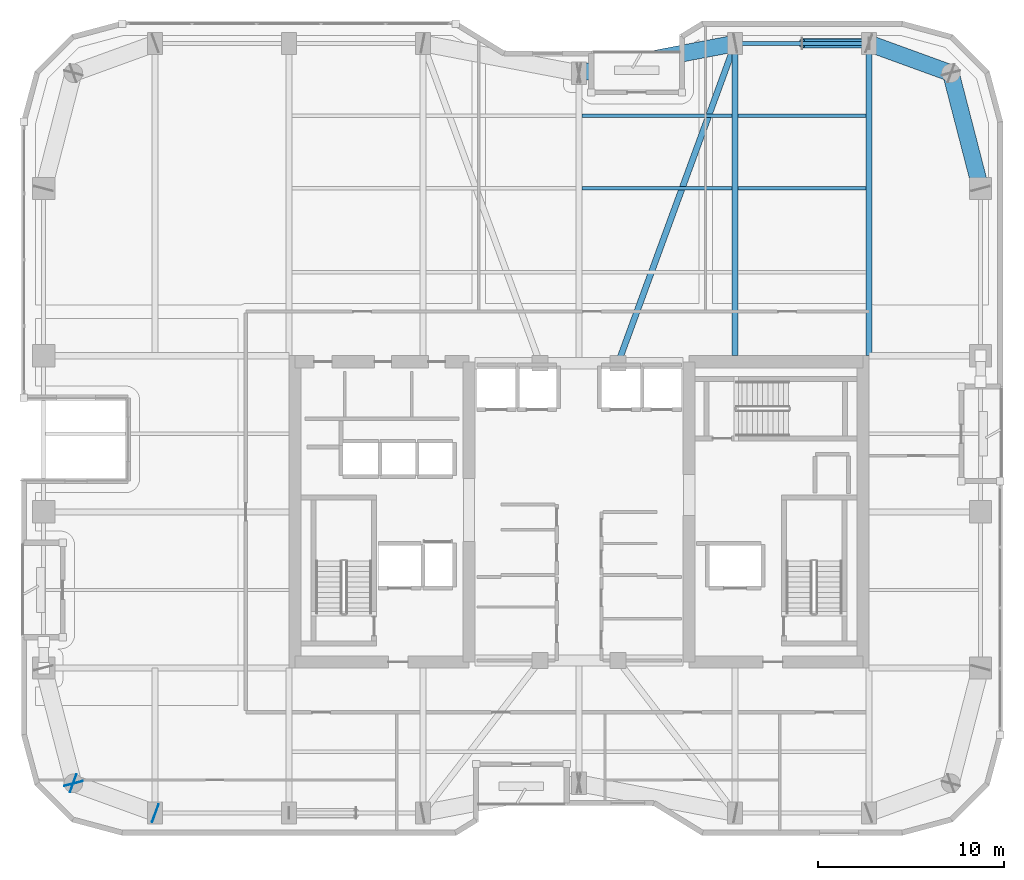
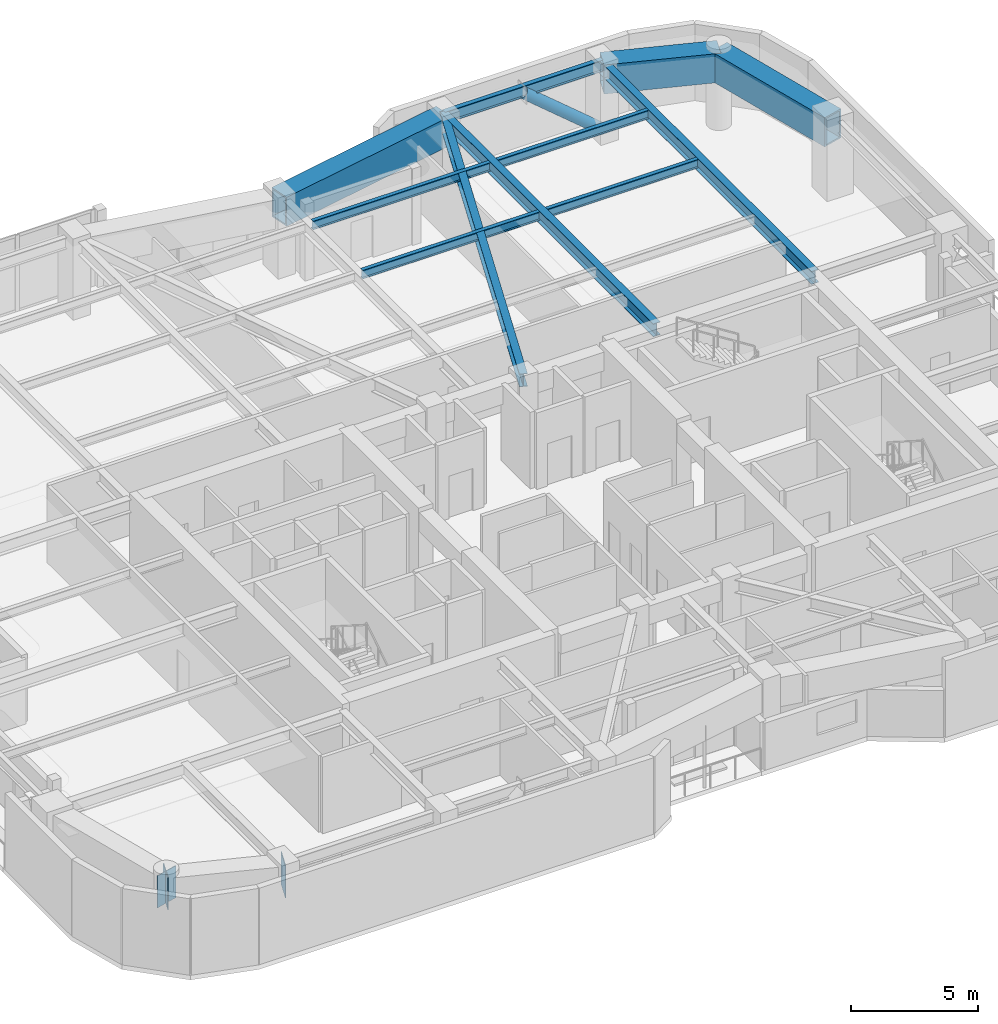
# One storey, part 16 of 26: 11 beams, 3 plates, 1 member.
"""IFC4 building model written with IfcOpenShell, lengths in metres."""

from ifc_helpers import new_model, si_unit, direction, frame, origin, origin_2d, place, context, subcontext, project, spatial, rectangle, hollow_rectangle, hollow_circle, i_section, extrude, material, layer, layer_set, material_profile, profile_set, type_object, element, save


model = new_model("IFC4")

# Units and contexts
model_context = context("Model", 3, precision=1e-05, world=origin(), true_north=direction((0.0, 1.0)))
body_context = subcontext(model_context, "Body", "Model", "MODEL_VIEW")
ifc_project = project(units=[si_unit("LENGTHUNIT", "METRE"), si_unit("AREAUNIT", "SQUARE_METRE"), si_unit("VOLUMEUNIT", "CUBIC_METRE"), si_unit("PLANEANGLEUNIT", "RADIAN"), si_unit("MASSUNIT", "GRAM", prefix="KILO")], contexts=[model_context])

# Site, building, storey
site_placement = place(None, origin())
site = spatial("IfcSite", under=ifc_project, at=site_placement, CompositionType="ELEMENT")
building_placement = place(site_placement, origin())
building = spatial("IfcBuilding", under=site, at=building_placement, Name="Kiyonajd Concourse Tower", CompositionType="ELEMENT")
storey_placement = place(building_placement, frame((0.0, 0.0, 186.300048828125)))
storey = spatial("IfcBuildingStorey", under=building, at=storey_placement, Name="L47", CompositionType="ELEMENT", Elevation=186.300048828125)

# Beams
ifc_material_1 = material(Name="Steel ASTM A992 Grade 50", Category="steel")
ifc_material_profile_1 = material_profile(ifc_material_1, i_section(OverallWidth=0.180908203125, OverallDepth=0.4169921875, WebThickness=0.010986328125, FlangeThickness=0.018310546875, at=origin_2d()), Name="W410X85")
ifc_profile_set_1 = profile_set([ifc_material_profile_1], Name="Steel ASTM A992 Grade 50")
beam_type_1 = type_object("IfcBeamType", Name="BM-JST-410", PredefinedType="JOIST", material=ifc_profile_set_1)
beam_1_placement = place(storey_placement, frame((48.16357421875, 53.39990234375, 3.471435546875), z_axis=(1.0, 0.0, 0.0), x_axis=(0.0, 1.0, 0.0)))
element("IfcBeam", 1, at=beam_1_placement, inside=storey, type_object=beam_type_1, Name="L47 Secondary Floor Joist", PredefinedType="JOIST", context=body_context, shape_type="SweptSolid", body=[
    extrude(i_section(OverallWidth=0.180908203125, OverallDepth=0.4169921875, WebThickness=0.010986328125, FlangeThickness=0.018310546875, at=origin_2d()), origin(), (0.0, 0.0, 1.0), 8.072998046875),
])
beam_2_placement = place(storey_placement, frame((56.5634765625, 53.39990234375, 3.471435546875), z_axis=(1.0, 0.0, 0.0), x_axis=(0.0, 1.0, 0.0)))
element("IfcBeam", 2, at=beam_2_placement, inside=storey, type_object=beam_type_1, Name="L47 Secondary Floor Joist", PredefinedType="JOIST", context=body_context, shape_type="SweptSolid", body=[
    extrude(i_section(OverallWidth=0.180908203125, OverallDepth=0.4169921875, WebThickness=0.010986328125, FlangeThickness=0.018310546875, at=origin_2d()), origin(), (0.0, 0.0, 1.0), 6.873046875),
])
beam_3_placement = place(storey_placement, frame((48.16357421875, 57.300048828125, 3.471435546875), z_axis=(1.0, 0.0, 0.0), x_axis=(0.0, 1.0, 0.0)))
element("IfcBeam", 3, at=beam_3_placement, inside=storey, type_object=beam_type_1, Name="L47 Secondary Floor Joist", PredefinedType="JOIST", context=body_context, shape_type="SweptSolid", body=[
    extrude(i_section(OverallWidth=0.180908203125, OverallDepth=0.4169921875, WebThickness=0.010986328125, FlangeThickness=0.018310546875, at=origin_2d()), origin(), (0.0, 0.0, 1.0), 8.072998046875),
])
beam_4_placement = place(storey_placement, frame((56.5634765625, 57.300048828125, 3.471435546875), z_axis=(1.0, 0.0, 0.0), x_axis=(0.0, 1.0, 0.0)))
element("IfcBeam", 4, at=beam_4_placement, inside=storey, type_object=beam_type_1, Name="L47 Secondary Floor Joist", PredefinedType="JOIST", context=body_context, shape_type="SweptSolid", body=[
    extrude(i_section(OverallWidth=0.180908203125, OverallDepth=0.4169921875, WebThickness=0.010986328125, FlangeThickness=0.018310546875, at=origin_2d()), origin(), (0.0, 0.0, 1.0), 6.873046875),
])
ifc_material_profile_2 = material_profile(ifc_material_1, i_section(OverallWidth=0.214111328125, OverallDepth=0.549072265625, WebThickness=0.0146484375, FlangeThickness=0.023681640625, at=origin_2d()), Name="W530X138")
ifc_profile_set_2 = profile_set([ifc_material_profile_2], Name="Steel ASTM A992 Grade 50")
beam_type_2 = type_object("IfcBeamType", Name="BM-SPAN-530A", PredefinedType="SPANDREL", material=ifc_profile_set_2)
beam_5_placement = place(storey_placement, frame((63.60009765625, 61.199951171875, 3.405517578125), z_axis=(-1.0, 0.0, 0.0), x_axis=(0.0, -1.0, 0.0)))
element("IfcBeam", 5, at=beam_5_placement, inside=storey, type_object=beam_type_2, Name="L47 Perimeter Bundled Tube Spandrel", PredefinedType="SPANDREL", context=body_context, shape_type="SweptSolid", body=[
    extrude(i_section(OverallWidth=0.214111328125, OverallDepth=0.549072265625, WebThickness=0.0146484375, FlangeThickness=0.023681640625, at=origin_2d()), origin(), (0.0, 0.0, 1.0), 7.2001953125),
])
ifc_material_profile_3 = material_profile(ifc_material_1, i_section(OverallWidth=0.326904296875, OverallDepth=0.6220703125, WebThickness=0.015380859375, FlangeThickness=0.0244140625, at=origin_2d()), Name="W610X195")
ifc_profile_set_3 = profile_set([ifc_material_profile_3], Name="Steel ASTM A992 Grade 50")
beam_type_3 = type_object("IfcBeamType", Name="BM-TWR-610A", PredefinedType="BEAM", material=ifc_profile_set_3)
beam_6_placement = place(storey_placement, frame((50.10009765625, 44.0, 3.368896484375), z_axis=(0.343925269715, 0.938997022813, 0.0), x_axis=(-0.938997022813, 0.343925269715, 0.0)))
element("IfcBeam", 6, at=beam_6_placement, inside=storey, type_object=beam_type_3, Name="L47 Core Tie Girder", PredefinedType="BEAM", context=body_context, shape_type="SweptSolid", body=[
    extrude(i_section(OverallWidth=0.326904296875, OverallDepth=0.6220703125, WebThickness=0.015380859375, FlangeThickness=0.0244140625, at=origin_2d()), origin(), (0.0, 0.0, 1.0), 18.3173828125),
])
for number, where, z_axis, x_axis, name in (
    (7, (56.39990234375, 44.39990234375, 3.368896484375), (0.0, 1.0, 0.0), (-1.0, 0.0, 0.0), "L47 North Lease Girder"),
    (8, (63.60009765625, 44.39990234375, 3.368896484375), (0.0, 1.0, 0.0), (-1.0, 0.0, 0.0), "L47 North Lease Girder"),
):
    element("IfcBeam", number, at=place(storey_placement, frame(where, z_axis=z_axis, x_axis=x_axis)), inside=storey, type_object=beam_type_3, Name=name, PredefinedType="BEAM", context=body_context, shape_type="SweptSolid", body=[
        extrude(i_section(OverallWidth=0.326904296875, OverallDepth=0.6220703125, WebThickness=0.015380859375, FlangeThickness=0.0244140625, at=origin_2d()), origin(), (0.0, 0.0, 1.0), 16.800048828125),
    ])
ifc_material_2 = material(Name="Steel ASTM A572 Grade 50", Category="steel")
ifc_material_profile_4 = material_profile(ifc_material_2, hollow_rectangle(XDim=0.89990234375, YDim=1.39990234375, WallThickness=0.070068359375, at=origin_2d()), Name="BOX-1400x900x70")
ifc_profile_set_4 = profile_set([ifc_material_profile_4], Name="Steel ASTM A572 Grade 50")
beam_type_4 = type_object("IfcBeamType", Name="BM-XFER-1400", PredefinedType="BEAM", material=ifc_profile_set_4)
beam_7_placement = place(storey_placement, frame((69.60009765625, 53.39990234375, 2.97998046875), z_axis=(-0.249884937687, 0.968275538221, 0.0), x_axis=(-0.968275538221, -0.249884937687, 0.0)))
element("IfcBeam", 9, at=beam_7_placement, inside=storey, type_object=beam_type_4, Name="L47 Perimeter Bundled Tube Spandrel", PredefinedType="BEAM", context=body_context, shape_type="SweptSolid", body=[
    extrude(hollow_rectangle(XDim=0.89990234375, YDim=1.39990234375, WallThickness=0.070068359375, at=origin_2d()), origin(), (0.0, 0.0, 1.0), 6.4033203125),
])
beam_8_placement = place(storey_placement, frame((68.0, 59.60009765625, 2.97998046875), z_axis=(-0.939801036019, 0.341722127901, 0.0), x_axis=(-0.341722127901, -0.939801036019, 0.0)))
element("IfcBeam", 10, at=beam_8_placement, inside=storey, type_object=beam_type_4, Name="L47 Perimeter Bundled Tube Spandrel", PredefinedType="BEAM", context=body_context, shape_type="SweptSolid", body=[
    extrude(hollow_rectangle(XDim=0.89990234375, YDim=1.39990234375, WallThickness=0.070068359375, at=origin_2d()), origin(), (0.0, 0.0, 1.0), 4.681640625),
])
beam_9_placement = place(storey_placement, frame((56.39990234375, 61.199951171875, 2.97998046875), z_axis=(-0.982341315253, -0.187097675953, 0.0), x_axis=(0.187097675953, -0.982341315253, 0.0)))
element("IfcBeam", 11, at=beam_9_placement, inside=storey, type_object=beam_type_4, Name="L47 Perimeter Bundled Tube Spandrel", PredefinedType="BEAM", context=body_context, shape_type="SweptSolid", body=[
    extrude(hollow_rectangle(XDim=0.89990234375, YDim=1.39990234375, WallThickness=0.070068359375, at=origin_2d()), origin(), (0.0, 0.0, 1.0), 8.55078125),
])

# Member
ifc_material_3 = material(Name="Steel ASTM A500 Grade C", Category="steel")
ifc_material_profile_5 = material_profile(ifc_material_3, hollow_circle(Radius=0.25390625, WallThickness=0.02197265625, at=origin_2d()), Name="CHS-508x22")
ifc_profile_set_5 = profile_set([ifc_material_profile_5], Name="Steel ASTM A500 Grade C")
member_type = type_object("IfcMemberType", Name="MB-PB-MID", PredefinedType="BRACE", material=ifc_profile_set_5)
member_placement = place(storey_placement, frame((63.60009765625, 61.199951171875, 0.300048828125), z_axis=(-0.765107605277, 0.0, 0.643902440085), x_axis=(0.0, -1.0, 0.0)))
element("IfcMember", 12, at=member_placement, inside=storey, type_object=member_type, Name="L47 Upper Zone Hollow Tube Brace PBN", PredefinedType="BRACE", context=body_context, shape_type="SweptSolid", body=[
    extrude(hollow_circle(Radius=0.25390625, WallThickness=0.02197265625, at=origin_2d()), origin(), (0.0, 0.0, 1.0), 4.705322265625),
])

# Plates
ifc_layer = layer(ifc_material_2, 0.031982421875)
ifc_layer_set = layer_set([ifc_layer], Name="Steel ASTM A572 Grade 50")
plate_type = type_object("IfcPlateType", Name="PL-CAP-540", PredefinedType="USERDEFINED", material=ifc_layer_set)
for number, where, z_axis, x_axis, name in (
    (13, (20.802734375, 21.389404296875, 2.2099609375), (0.0, 0.0, 1.0), (0.249873048837, -0.968278606324, 0.0), "L47 Welded Box Girder End Cap"),
    (14, (20.789794921875, 21.40380859375, 2.2099609375), (0.0, 0.0, 1.0), (-0.939811951086, 0.341692107891, 0.0), "L47 Welded Box Girder End Cap"),
    (15, (25.210205078125, 19.796142578125, 2.2099609375), (0.0, 0.0, 1.0), (0.939811951086, -0.341692107891, 0.0), "L47 Welded Box Girder End Cap"),
):
    element("IfcPlate", number, at=place(storey_placement, frame(where, z_axis=z_axis, x_axis=x_axis)), inside=storey, type_object=plate_type, Name=name, ObjectType="CAP PLATE", PredefinedType="USERDEFINED", context=body_context, shape_type="SweptSolid", body=[
        extrude(rectangle(XDim=0.035888671875, YDim=1.02001953125, at=origin_2d()), origin(), (0.0, 0.0, 1.0), 1.5400390625),
    ])

save(model, "model.ifc")
